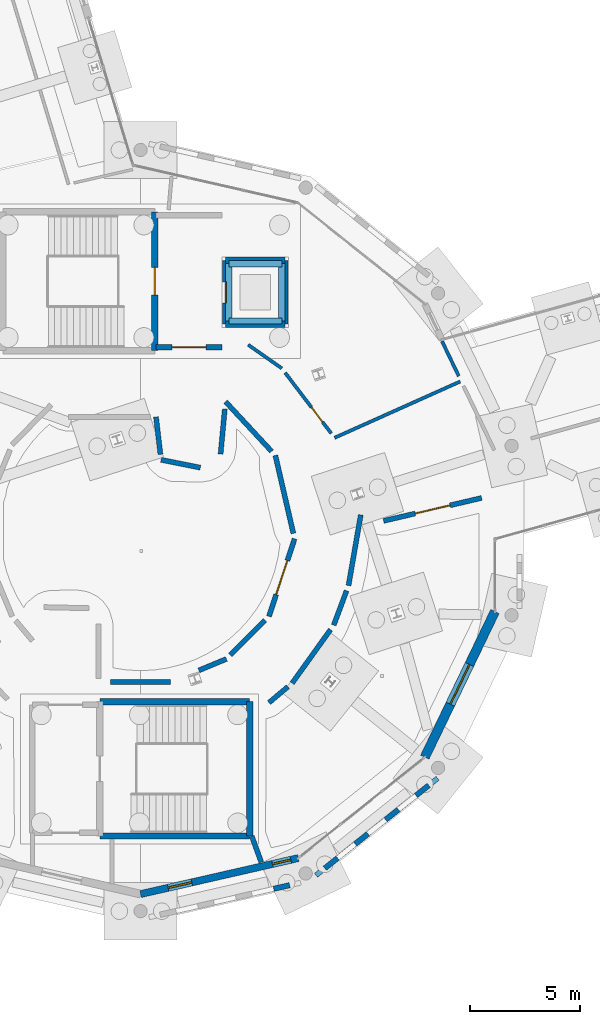
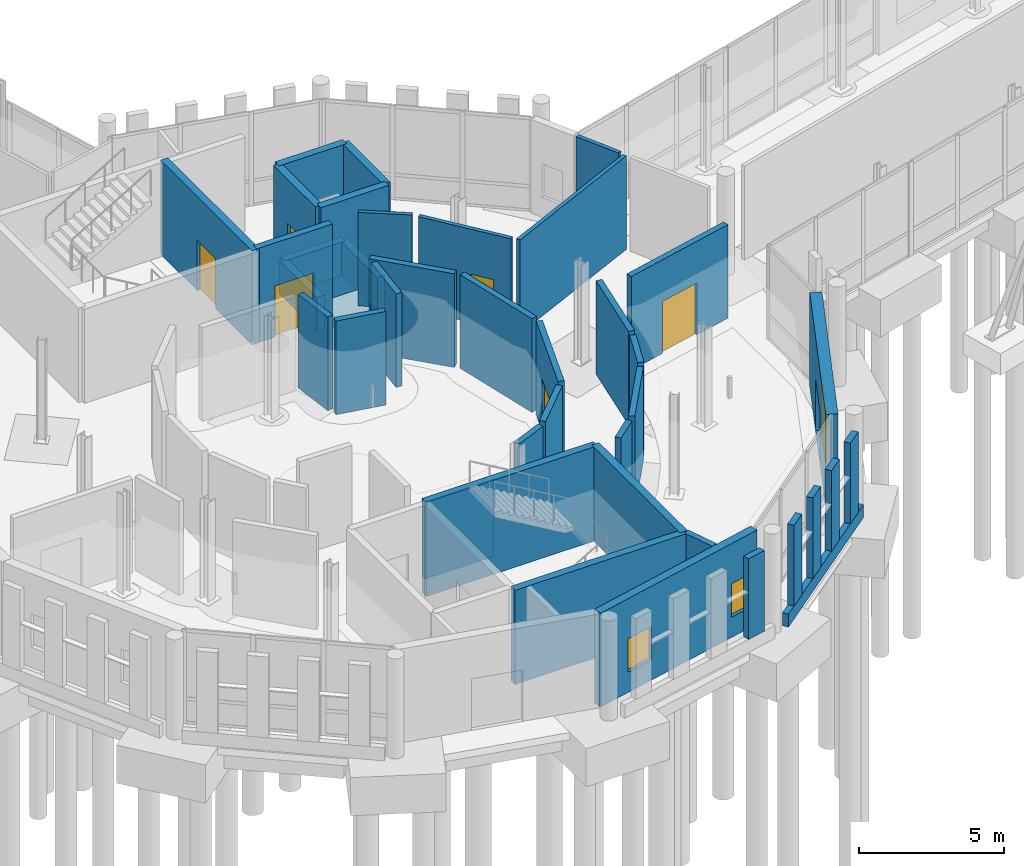
# One storey, part 79 of 113: 40 walls, 7 doors, 2 windows, 9 openings.
"""IFC4 building model written with IfcOpenShell, lengths in metres."""

from ifc_helpers import new_model, si_unit, direction, frame, frame_2d, origin, place, context, subcontext, project, spatial, rectangle, extrude, material, layer, layer_set, type_object, element, fill, save


model = new_model("IFC4")

# Units and contexts
model_context = context("Model", 3, precision=1e-05, world=origin(), true_north=direction((0.0, 1.0)))
body_context = subcontext(model_context, "Body", "Model", "MODEL_VIEW")
ifc_project = project(units=[si_unit("LENGTHUNIT", "METRE"), si_unit("AREAUNIT", "SQUARE_METRE"), si_unit("VOLUMEUNIT", "CUBIC_METRE"), si_unit("PLANEANGLEUNIT", "RADIAN"), si_unit("MASSUNIT", "GRAM", prefix="KILO")], contexts=[model_context])

# Site, building, storey
site_placement = place(None, origin())
site = spatial("IfcSite", under=ifc_project, at=site_placement, CompositionType="ELEMENT")
building_placement = place(site_placement, origin())
building = spatial("IfcBuilding", under=site, at=building_placement, Name="Wrenclough Park School", CompositionType="ELEMENT")
storey_placement = place(building_placement, origin())
storey = spatial("IfcBuildingStorey", under=building, at=storey_placement, Name="L00", CompositionType="ELEMENT", Elevation=0.0)

# Walls
ifc_material_1 = material(Name="Perforated open-bond Staffordshire and Manchester brick screen pier", Category="masonry")
ifc_layer_1 = layer(ifc_material_1, 0.2451171875)
ifc_layer_set_1 = layer_set([ifc_layer_1], Name="Perforated open-bond Staffordshire and Manchester brick screen pier")
wall_type_1 = type_object("IfcWallType", Name="ENV-BS-PR245", PredefinedType="ELEMENTEDWALL", material=ifc_layer_set_1)
for number, where, z_axis, x_axis, name in (
    (1, (42.53662109375, 7.262451171875, 0.550048828125), (0.0, 0.0, 1.0), (0.974960788757, 0.222376843189, 0.0), "D2 L00 perforated brick screen pier 0078"),
    (2, (44.85205078125, 8.1943359375, 0.550048828125), (0.0, 0.0, 1.0), (0.781833401173, 0.623487395872, 0.0), "D2 L00 perforated brick screen pier 0079"),
    (3, (46.2294921875, 9.29296875, 0.550048828125), (0.0, 0.0, 1.0), (0.781833401173, 0.623487395872, 0.0), "D2 L00 perforated brick screen pier 0080"),
    (4, (47.607177734375, 10.3916015625, 0.550048828125), (0.0, 0.0, 1.0), (0.781994216279, 0.623285685465, 0.0), "D2 L00 perforated brick screen pier 0081"),
    (5, (48.984619140625, 11.489990234375, 0.550048828125), (0.0, 0.0, 1.0), (0.781833401173, 0.623487395872, 0.0), "D2 L00 perforated brick screen pier 0082"),
):
    element("IfcWall", number, at=place(storey_placement, frame(where, z_axis=z_axis, x_axis=x_axis)), inside=storey, type_object=wall_type_1, Name=name, PredefinedType="ELEMENTEDWALL", context=body_context, shape_type="SweptSolid", body=[
        extrude(rectangle(XDim=0.739990234375, YDim=0.2451171875, at=frame_2d((0.3701171875, 0.0))), origin(), (0.0, 0.0, 1.0), 3.389892578125),
    ])
ifc_material_2 = material(Name="Open-bond Manchester multi-stock brick spandrel screen", Category="masonry")
ifc_layer_2 = layer(ifc_material_2, 0.22509765625)
ifc_layer_set_2 = layer_set([ifc_layer_2], Name="Open-bond Manchester multi-stock brick spandrel screen")
wall_type_2 = type_object("IfcWallType", Name="ENV-BS-SP225", PredefinedType="ELEMENTEDWALL", material=ifc_layer_set_2)
wall_1_placement = place(storey_placement, frame((44.452392578125, 7.875732421875, 0.0), z_axis=(0.0, 0.0, 1.0), x_axis=(0.781844515492, 0.623473458613, 0.0)))
element("IfcWall", 6, at=wall_1_placement, inside=storey, type_object=wall_type_2, Name="D2 L00 open-bond brick screen spandrel 0020", PredefinedType="ELEMENTEDWALL", context=body_context, shape_type="SweptSolid", body=[
    extrude(rectangle(XDim=7.048095703125, YDim=0.22509765625, at=frame_2d((3.52392578125, 0.0))), origin(), (0.0, 0.0, 1.0), 0.550048828125),
])

# Wall, openings, windows
ifc_material_3 = material(Name="Manchester multi-stock brick and Concrete C32/40 inner leaf", Category="masonry")
ifc_layer_3 = layer(ifc_material_3, 0.324951171875)
ifc_layer_set_3 = layer_set([ifc_layer_3], Name="Manchester multi-stock brick and Concrete C32/40 inner leaf")
wall_type_3 = type_object("IfcWallType", Name="ENV-EW-325", PredefinedType="SOLIDWALL", material=ifc_layer_set_3)
wall_2_placement = place(storey_placement, frame((43.649169921875, 8.65478515625, 0.0), z_axis=(0.0, 0.0, 1.0), x_axis=(-0.974932633187, -0.222500248868, 0.0)))
wall_2 = element("IfcWall", 7, at=wall_2_placement, inside=storey, type_object=wall_type_3, Name="L00 insulated brick external wall 0001", PredefinedType="SOLIDWALL", context=body_context, shape_type="SweptSolid", body=[
    extrude(rectangle(XDim=7.3330078125, YDim=0.324951171875, at=frame_2d((3.66650390625, 0.0))), origin(), (0.0, 0.0, 1.0), 3.93994140625),
])
opening_1_placement = place(wall_2_placement, frame((0.35009765625, 0.0, 0.85009765625)))
opening_1 = element("IfcOpeningElement", 8, at=opening_1_placement, cuts=wall_2, Name="Opening WN-01", PredefinedType="OPENING", context=body_context, shape_type="SweptSolid", body=[
    extrude(rectangle(XDim=0.85009765625, YDim=1.39990234375, at=frame_2d((0.425048828125, 0.699951171875))), frame((0.0, 0.17236328125, 0.0), z_axis=(0.0, -1.0, 0.0), x_axis=(1.0, 0.0, 0.0)), (0.0, 0.0, 1.0), 0.344970703125),
])
opening_2_placement = place(wall_2_placement, frame((4.94970703125, 0.0, 0.85009765625)))
opening_2 = element("IfcOpeningElement", 9, at=opening_2_placement, cuts=wall_2, Name="Opening WN-03", PredefinedType="OPENING", context=body_context, shape_type="SweptSolid", body=[
    extrude(rectangle(XDim=1.10009765625, YDim=1.39990234375, at=frame_2d((0.550048828125, 0.699951171875))), frame((0.0, 0.17236328125, 0.0), z_axis=(0.0, -1.0, 0.0), x_axis=(1.0, 0.0, 0.0)), (0.0, 0.0, 1.0), 0.344970703125),
])
ifc_material_4 = material(Name="Thermally broken aluminium and double-glazed low-e glass", Category="aluminium")
window_type_1 = type_object("IfcWindowType", Name="ENV-WN-01", PartitioningType="SINGLE_PANEL", PredefinedType="WINDOW", material=ifc_material_4)
window_1_placement = place(opening_1_placement, origin())
window_1 = element("IfcWindow", 10, at=window_1_placement, inside=storey, type_object=window_type_1, Name="L00 scheduled facade window 0001", OverallHeight=1.39990234375, OverallWidth=0.85009765625, PartitioningType="SINGLE_PANEL", PredefinedType="WINDOW", context=body_context, shape_type="SweptSolid", body=[
    extrude(rectangle(XDim=0.85009765625, YDim=1.39990234375, at=frame_2d((0.425048828125, 0.699951171875))), frame((0.0, 0.030029296875, 0.0), z_axis=(0.0, -1.0, 0.0), x_axis=(1.0, 0.0, 0.0)), (0.0, 0.0, 1.0), 0.06005859375),
])
fill(opening_1, window_1)
window_type_2 = type_object("IfcWindowType", Name="ENV-WN-03", PartitioningType="SINGLE_PANEL", PredefinedType="WINDOW", material=ifc_material_4)
window_2_placement = place(opening_2_placement, origin())
window_2 = element("IfcWindow", 11, at=window_2_placement, inside=storey, type_object=window_type_2, Name="L00 scheduled facade window 0002", OverallHeight=1.39990234375, OverallWidth=1.10009765625, PartitioningType="SINGLE_PANEL", PredefinedType="WINDOW", context=body_context, shape_type="SweptSolid", body=[
    extrude(rectangle(XDim=1.10009765625, YDim=1.39990234375, at=frame_2d((0.550048828125, 0.699951171875))), frame((0.0, 0.030029296875, 0.0), z_axis=(0.0, -1.0, 0.0), x_axis=(1.0, 0.0, 0.0)), (0.0, 0.0, 1.0), 0.06005859375),
])
fill(opening_2, window_2)

# Wall, opening, door
ifc_material_5 = material(Name="Insulated brick-clad sports hall wall Concrete C40/50", Category="masonry")
ifc_layer_4 = layer(ifc_material_5, 0.425048828125)
ifc_layer_set_4 = layer_set([ifc_layer_4], Name="Insulated brick-clad sports hall wall Concrete C40/50")
wall_type_4 = type_object("IfcWallType", Name="ENV-EW-425", PredefinedType="SOLIDWALL", material=ifc_layer_set_4)
wall_3_placement = place(storey_placement, frame((52.563720703125, 19.83349609375, 0.0), z_axis=(0.0, 0.0, 1.0), x_axis=(-0.433886691468, -0.900967446119, 0.0)))
wall_3 = element("IfcWall", 12, at=wall_3_placement, inside=storey, type_object=wall_type_4, Name="L00 insulated brick external wall 0045", PredefinedType="SOLIDWALL", context=body_context, shape_type="SweptSolid", body=[
    extrude(rectangle(XDim=7.332763671875, YDim=0.425048828125, at=frame_2d((3.66650390625, 0.0))), origin(), (0.0, 0.0, 1.0), 3.93994140625),
])
opening_3_placement = place(wall_3_placement, frame((2.66650390625, 0.0, 0.0)))
opening_3 = element("IfcOpeningElement", 13, at=opening_3_placement, cuts=wall_3, Name="Opening EX-01", PredefinedType="OPENING", context=body_context, shape_type="SweptSolid", body=[
    extrude(rectangle(XDim=2.0, YDim=2.199951171875, at=frame_2d((1.0, 1.10009765625))), frame((0.0, 0.222412109375, 0.0), z_axis=(0.0, -1.0, 0.0), x_axis=(1.0, 0.0, 0.0)), (0.0, 0.0, 1.0), 0.445068359375),
])
ifc_material_6 = material(Name="Thermally broken powder-coated aluminium and laminated safety glass", Category="aluminium")
door_type_1 = type_object("IfcDoorType", Name="DR-EX200", OperationType="NOTDEFINED", PredefinedType="DOOR", material=ifc_material_6)
door_1_placement = place(opening_3_placement, origin())
door_1 = element("IfcDoor", 14, at=door_1_placement, inside=storey, type_object=door_type_1, Name="Pedestrian final exit door EX-01", OperationType="DOUBLE_DOOR_SINGLE_SWING", OverallHeight=2.199951171875, OverallWidth=2.0, PredefinedType="DOOR", context=body_context, shape_type="SweptSolid", body=[
    extrude(rectangle(XDim=2.0, YDim=2.199951171875, at=frame_2d((1.0, 1.10009765625))), frame((0.0, 0.02490234375, 0.0), z_axis=(0.0, -1.0, 0.0), x_axis=(1.0, 0.0, 0.0)), (0.0, 0.0, 1.0), 0.050048828125),
])
fill(opening_3, door_1)

ifc_material_7 = material(Name="Concrete C35/45", Category="concrete")
ifc_layer_5 = layer(ifc_material_7, 0.25)
ifc_layer_set_5 = layer_set([ifc_layer_5], Name="Concrete C35/45")
wall_type_5 = type_object("IfcWallType", Name="INT-CW-250", PredefinedType="SHEAR", material=ifc_layer_set_5)
wall_4_placement = place(storey_placement, frame((37.199951171875, 31.800048828125, 0.0), z_axis=(0.0, 0.0, 1.0), x_axis=(1.0, 0.0, 0.0)))
wall_4 = element("IfcWall", 15, at=wall_4_placement, inside=storey, type_object=wall_type_5, Name="Core C2 L00 lobby fire wall south", PredefinedType="SHEAR", context=body_context, shape_type="SweptSolid", body=[
    extrude(rectangle(XDim=3.0, YDim=0.25, at=frame_2d((1.5, 0.0))), origin(), (0.0, 0.0, 1.0), 3.949951171875),
])
opening_4_placement = place(wall_4_placement, frame((0.72509765625, 0.0, 0.0)))
opening_4 = element("IfcOpeningElement", 16, at=opening_4_placement, cuts=wall_4, Name="Opening DLB-C2-L00", PredefinedType="OPENING", context=body_context, shape_type="SweptSolid", body=[
    extrude(rectangle(XDim=1.550048828125, YDim=2.14990234375, at=frame_2d((0.77490234375, 1.074951171875))), frame((0.0, 0.135009765625, 0.0), z_axis=(0.0, -1.0, 0.0), x_axis=(1.0, 0.0, 0.0)), (0.0, 0.0, 1.0), 0.27001953125),
])
ifc_material_8 = material(Name="Protected stair lobby double fire door assembly", Category="wood")
door_type_2 = type_object("IfcDoorType", Name="INT-DR-LB155", OperationType="NOTDEFINED", PredefinedType="DOOR", material=ifc_material_8)
door_2_placement = place(opening_4_placement, frame((1.550048828125, 0.0, 0.0), z_axis=(0.0, 0.0, 1.0), x_axis=(-1.0, 0.0, 0.0)))
door_2 = element("IfcDoor", 17, at=door_2_placement, inside=storey, type_object=door_type_2, Name="Core C2 L00 protected lobby fire door", OperationType="DOUBLE_DOOR_SINGLE_SWING", OverallHeight=2.14990234375, OverallWidth=1.550048828125, PredefinedType="DOOR", context=body_context, shape_type="SweptSolid", body=[
    extrude(rectangle(XDim=1.550048828125, YDim=2.14990234375, at=frame_2d((0.77490234375, 1.074951171875))), frame((0.0, 0.02490234375, 0.0), z_axis=(0.0, -1.0, 0.0), x_axis=(1.0, 0.0, 0.0)), (0.0, 0.0, 1.0), 0.050048828125),
])
fill(opening_4, door_2)

# Walls
ifc_material_9 = material(Name="Concrete C40/50", Category="concrete")
ifc_layer_6 = layer(ifc_material_9, 0.2900390625)
ifc_layer_set_6 = layer_set([ifc_layer_6], Name="Concrete C40/50")
wall_type_6 = type_object("IfcWallType", Name="INT-CW-290", PredefinedType="SHEAR", material=ifc_layer_set_6)
wall_5_placement = place(storey_placement, frame((40.5, 33.0, -1.39990234375), z_axis=(0.0, 0.0, 1.0), x_axis=(1.0, 0.0, 0.0)))
element("IfcWall", 18, at=wall_5_placement, inside=storey, type_object=wall_type_6, Name="Lift LFT-04 concrete pit wall 1", PredefinedType="SHEAR", context=body_context, shape_type="SweptSolid", body=[
    extrude(rectangle(XDim=2.39990234375, YDim=0.2900390625, at=frame_2d((1.199951171875, 0.0))), origin(), (0.0, 0.0, 1.0), 1.39990234375),
])
wall_6_placement = place(storey_placement, frame((42.89990234375, 33.0, -1.39990234375), z_axis=(0.0, 0.0, 1.0), x_axis=(0.0, 1.0, 0.0)))
element("IfcWall", 19, at=wall_6_placement, inside=storey, type_object=wall_type_6, Name="Lift LFT-04 concrete pit wall 2", PredefinedType="SHEAR", context=body_context, shape_type="SweptSolid", body=[
    extrude(rectangle(XDim=2.60009765625, YDim=0.2900390625, at=frame_2d((1.300048828125, 0.0))), origin(), (0.0, 0.0, 1.0), 1.39990234375),
])
wall_7_placement = place(storey_placement, frame((42.89990234375, 35.60009765625, -1.39990234375), z_axis=(0.0, 0.0, 1.0), x_axis=(-1.0, 0.0, 0.0)))
element("IfcWall", 20, at=wall_7_placement, inside=storey, type_object=wall_type_6, Name="Lift LFT-04 concrete pit wall 3", PredefinedType="SHEAR", context=body_context, shape_type="SweptSolid", body=[
    extrude(rectangle(XDim=2.39990234375, YDim=0.2900390625, at=frame_2d((1.199951171875, 0.0))), origin(), (0.0, 0.0, 1.0), 1.39990234375),
])
wall_8_placement = place(storey_placement, frame((40.5, 35.60009765625, -1.39990234375), z_axis=(0.0, 0.0, 1.0), x_axis=(0.0, -1.0, 0.0)))
element("IfcWall", 21, at=wall_8_placement, inside=storey, type_object=wall_type_6, Name="Lift LFT-04 concrete pit wall 4", PredefinedType="SHEAR", context=body_context, shape_type="SweptSolid", body=[
    extrude(rectangle(XDim=2.60009765625, YDim=0.2900390625, at=frame_2d((1.300048828125, 0.0))), origin(), (0.0, 0.0, 1.0), 1.39990234375),
])

# Wall, opening, door
wall_9_placement = place(storey_placement, frame((37.14501953125, 31.655029296875, 0.0), z_axis=(0.0, 0.0, 1.0), x_axis=(0.0, 1.0, 0.0)))
wall_9 = element("IfcWall", 22, at=wall_9_placement, inside=storey, type_object=wall_type_6, Name="Core C2 L00 east shear wall", PredefinedType="SHEAR", context=body_context, shape_type="SweptSolid", body=[
    extrude(rectangle(XDim=6.2900390625, YDim=0.2900390625, at=frame_2d((3.14501953125, 0.0))), origin(), (0.0, 0.0, 1.0), 3.949951171875),
])
opening_5_placement = place(wall_9_placement, frame((2.52001953125, 0.0, 0.0)))
opening_5 = element("IfcOpeningElement", 23, at=opening_5_placement, cuts=wall_9, Name="Opening DST-C2-L00", PredefinedType="OPENING", context=body_context, shape_type="SweptSolid", body=[
    extrude(rectangle(XDim=1.25, YDim=2.10009765625, at=frame_2d((0.625, 1.050048828125))), frame((0.0, 0.155029296875, 0.0), z_axis=(0.0, -1.0, 0.0), x_axis=(1.0, 0.0, 0.0)), (0.0, 0.0, 1.0), 0.31005859375),
])
ifc_material_10 = material(Name="Wide protected escape stair fire door assembly", Category="wood")
door_type_3 = type_object("IfcDoorType", Name="INT-DR-ST125", OperationType="NOTDEFINED", PredefinedType="DOOR", material=ifc_material_10)
door_3_placement = place(opening_5_placement, frame((1.25, 0.0, 0.0), z_axis=(0.0, 0.0, 1.0), x_axis=(-1.0, 0.0, 0.0)))
door_3 = element("IfcDoor", 24, at=door_3_placement, inside=storey, type_object=door_type_3, Name="Stair ST-02 L00 fire door", OperationType="SINGLE_SWING_LEFT", OverallHeight=2.10009765625, OverallWidth=1.25, PredefinedType="DOOR", context=body_context, shape_type="SweptSolid", body=[
    extrude(rectangle(XDim=1.25, YDim=2.10009765625, at=frame_2d((0.625, 1.050048828125))), frame((0.0, 0.02490234375, 0.0), z_axis=(0.0, -1.0, 0.0), x_axis=(1.0, 0.0, 0.0)), (0.0, 0.0, 1.0), 0.050048828125),
])
fill(opening_5, door_3)

# Walls
wall_10_placement = place(storey_placement, frame((40.35498046875, 32.85498046875, 0.0), z_axis=(0.0, 0.0, 1.0), x_axis=(1.0, 0.0, 0.0)))
element("IfcWall", 25, at=wall_10_placement, inside=storey, type_object=wall_type_6, Name="Lift LFT-04 L00 south shaft wall", PredefinedType="SHEAR", context=body_context, shape_type="SweptSolid", body=[
    extrude(rectangle(XDim=2.68994140625, YDim=0.2900390625, at=frame_2d((1.344970703125, 0.0))), origin(), (0.0, 0.0, 1.0), 3.949951171875),
])
wall_11_placement = place(storey_placement, frame((43.044921875, 32.85498046875, 0.0), z_axis=(0.0, 0.0, 1.0), x_axis=(0.0, 1.0, 0.0)))
element("IfcWall", 26, at=wall_11_placement, inside=storey, type_object=wall_type_6, Name="Lift LFT-04 L00 east shaft wall", PredefinedType="SHEAR", context=body_context, shape_type="SweptSolid", body=[
    extrude(rectangle(XDim=2.89013671875, YDim=0.2900390625, at=frame_2d((1.445068359375, 0.0))), origin(), (0.0, 0.0, 1.0), 3.949951171875),
])
wall_12_placement = place(storey_placement, frame((43.044921875, 35.7451171875, 0.0), z_axis=(0.0, 0.0, 1.0), x_axis=(-1.0, 0.0, 0.0)))
element("IfcWall", 27, at=wall_12_placement, inside=storey, type_object=wall_type_6, Name="Lift LFT-04 L00 north shaft wall", PredefinedType="SHEAR", context=body_context, shape_type="SweptSolid", body=[
    extrude(rectangle(XDim=2.68994140625, YDim=0.2900390625, at=frame_2d((1.344970703125, 0.0))), origin(), (0.0, 0.0, 1.0), 3.949951171875),
])

# Wall, opening, door
wall_13_placement = place(storey_placement, frame((40.35498046875, 35.7451171875, 0.0), z_axis=(0.0, 0.0, 1.0), x_axis=(0.0, -1.0, 0.0)))
wall_13 = element("IfcWall", 28, at=wall_13_placement, inside=storey, type_object=wall_type_6, Name="Lift LFT-04 L00 west shaft wall", PredefinedType="SHEAR", context=body_context, shape_type="SweptSolid", body=[
    extrude(rectangle(XDim=2.89013671875, YDim=0.2900390625, at=frame_2d((1.445068359375, 0.0))), origin(), (0.0, 0.0, 1.0), 3.949951171875),
])
opening_6_placement = place(wall_13_placement, frame((0.969970703125, 0.0, 0.0)))
opening_6 = element("IfcOpeningElement", 29, at=opening_6_placement, cuts=wall_13, Name="Opening LD-04-L00", PredefinedType="OPENING", context=body_context, shape_type="SweptSolid", body=[
    extrude(rectangle(XDim=0.949951171875, YDim=2.10009765625, at=frame_2d((0.47509765625, 1.050048828125))), frame((0.0, 0.155029296875, 0.0), z_axis=(0.0, -1.0, 0.0), x_axis=(1.0, 0.0, 0.0)), (0.0, 0.0, 1.0), 0.31005859375),
])
ifc_material_11 = material(Name="Brushed stainless steel", Category="steel")
door_type_4 = type_object("IfcDoorType", Name="INT-DR-LD095", OperationType="NOTDEFINED", PredefinedType="DOOR", material=ifc_material_11)
door_4_placement = place(opening_6_placement, frame((0.949951171875, 0.0, 0.0), z_axis=(0.0, 0.0, 1.0), x_axis=(-1.0, 0.0, 0.0)))
door_4 = element("IfcDoor", 30, at=door_4_placement, inside=storey, type_object=door_type_4, Name="Lift LFT-04 L00 sliding landing door", OperationType="SLIDING_TO_LEFT", OverallHeight=2.10009765625, OverallWidth=0.949951171875, PredefinedType="DOOR", context=body_context, shape_type="SweptSolid", body=[
    extrude(rectangle(XDim=0.949951171875, YDim=2.10009765625, at=frame_2d((0.47509765625, 1.050048828125))), frame((0.0, 0.02490234375, 0.0), z_axis=(0.0, -1.0, 0.0), x_axis=(1.0, 0.0, 0.0)), (0.0, 0.0, 1.0), 0.050048828125),
])
fill(opening_6, door_4)

# Walls
wall_14_placement = place(storey_placement, frame((34.655029296875, 9.655029296875, 0.0), z_axis=(0.0, 0.0, 1.0), x_axis=(1.0, 0.0, 0.0)))
element("IfcWall", 31, at=wall_14_placement, inside=storey, type_object=wall_type_6, Name="Core C2B L00 south shear wall", PredefinedType="SHEAR", context=body_context, shape_type="SweptSolid", body=[
    extrude(rectangle(XDim=6.7900390625, YDim=0.2900390625, at=frame_2d((3.39501953125, 0.0))), origin(), (0.0, 0.0, 1.0), 3.949951171875),
])
wall_15_placement = place(storey_placement, frame((41.445068359375, 9.655029296875, 0.0), z_axis=(0.0, 0.0, 1.0), x_axis=(0.0, 1.0, 0.0)))
element("IfcWall", 32, at=wall_15_placement, inside=storey, type_object=wall_type_6, Name="Core C2B L00 east shear wall", PredefinedType="SHEAR", context=body_context, shape_type="SweptSolid", body=[
    extrude(rectangle(XDim=6.090087890625, YDim=0.2900390625, at=frame_2d((3.044921875, 0.0))), origin(), (0.0, 0.0, 1.0), 3.949951171875),
])
wall_16_placement = place(storey_placement, frame((41.445068359375, 15.7451171875, 0.0), z_axis=(0.0, 0.0, 1.0), x_axis=(-1.0, 0.0, 0.0)))
element("IfcWall", 33, at=wall_16_placement, inside=storey, type_object=wall_type_6, Name="Core C2B L00 north shear wall", PredefinedType="SHEAR", context=body_context, shape_type="SweptSolid", body=[
    extrude(rectangle(XDim=6.7900390625, YDim=0.2900390625, at=frame_2d((3.39501953125, 0.0))), origin(), (0.0, 0.0, 1.0), 3.949951171875),
])
ifc_material_12 = material(Name="Protected corridor partition", Category="gypsum")
ifc_layer_7 = layer(ifc_material_12, 0.14990234375)
ifc_layer_set_7 = layer_set([ifc_layer_7], Name="Protected corridor partition")
wall_type_7 = type_object("IfcWallType", Name="INT-PW-150", PredefinedType="PARTITIONING", material=ifc_layer_set_7)
wall_17_placement = place(storey_placement, frame((45.293212890625, 27.70458984375, 0.0), z_axis=(0.0, 0.0, 1.0), x_axis=(0.912598949967, 0.408855911684, 0.0)))
element("IfcWall", 34, at=wall_17_placement, inside=storey, type_object=wall_type_7, Name="L00 internal partition 0072", PredefinedType="PARTITIONING", context=body_context, shape_type="SweptSolid", body=[
    extrude(rectangle(XDim=6.239501953125, YDim=0.14990234375, at=frame_2d((3.11962890625, 0.0))), origin(), (0.0, 0.0, 1.0), 3.929931640625),
])
wall_18_placement = place(storey_placement, frame((41.376953125, 31.921142578125, 0.0), z_axis=(0.0, 0.0, 1.0), x_axis=(0.818868770582, -0.573980780659, 0.0)))
element("IfcWall", 35, at=wall_18_placement, inside=storey, type_object=wall_type_7, Name="L00 internal partition 0074", PredefinedType="PARTITIONING", context=body_context, shape_type="SweptSolid", body=[
    extrude(rectangle(XDim=1.8642578125, YDim=0.14990234375, at=frame_2d((0.93212890625, 0.0))), origin(), (0.0, 0.0, 1.0), 3.929931640625),
])

# Wall, opening, door
wall_19_placement = place(storey_placement, frame((43.0546875, 30.652099609375, 0.0), z_axis=(0.0, 0.0, 1.0), x_axis=(0.60485547015, -0.796335268734, 0.0)))
wall_19 = element("IfcWall", 36, at=wall_19_placement, inside=storey, type_object=wall_type_7, Name="L00 internal partition 0075", PredefinedType="PARTITIONING", context=body_context, shape_type="SweptSolid", body=[
    extrude(rectangle(XDim=3.451416015625, YDim=0.14990234375, at=frame_2d((1.7255859375, 0.0))), origin(), (0.0, 0.0, 1.0), 3.929931640625),
])
opening_7_placement = place(wall_19_placement, frame((1.95849609375, 0.0, 0.0)))
opening_7 = element("IfcOpeningElement", 37, at=opening_7_placement, cuts=wall_19, Name="Opening DR-L00-008", PredefinedType="OPENING", context=body_context, shape_type="SweptSolid", body=[
    extrude(rectangle(XDim=0.840087890625, YDim=2.0400390625, at=frame_2d((0.419921875, 1.02001953125))), frame((0.0, 0.0849609375, 0.0), z_axis=(0.0, -1.0, 0.0), x_axis=(1.0, 0.0, 0.0)), (0.0, 0.0, 1.0), 0.169921875),
])
ifc_material_13 = material(Name="Prep and store room fire door assembly", Category="wood")
door_type_5 = type_object("IfcDoorType", Name="INT-DR-STR084", OperationType="NOTDEFINED", PredefinedType="DOOR", material=ifc_material_13)
door_5_placement = place(opening_7_placement, origin())
door_5 = element("IfcDoor", 38, at=door_5_placement, inside=storey, type_object=door_type_5, Name="Instrument and Stage Store door DR-L00-008", OperationType="SINGLE_SWING_LEFT", OverallHeight=2.0400390625, OverallWidth=0.840087890625, PredefinedType="DOOR", context=body_context, shape_type="SweptSolid", body=[
    extrude(rectangle(XDim=0.840087890625, YDim=2.0400390625, at=frame_2d((0.419921875, 1.02001953125))), frame((0.0, 0.02490234375, 0.0), z_axis=(0.0, -1.0, 0.0), x_axis=(1.0, 0.0, 0.0)), (0.0, 0.0, 1.0), 0.050048828125),
])
fill(opening_7, door_5)

# Walls
wall_20_placement = place(storey_placement, frame((50.16552734375, 32.077392578125, 0.0), z_axis=(0.0, 0.0, 1.0), x_axis=(0.43261333435, -0.901579559963, 0.0)))
element("IfcWall", 39, at=wall_20_placement, inside=storey, type_object=wall_type_7, Name="L00 internal partition 0135", PredefinedType="PARTITIONING", context=body_context, shape_type="SweptSolid", body=[
    extrude(rectangle(XDim=1.7529296875, YDim=0.14990234375, at=frame_2d((0.87646484375, 0.0))), origin(), (0.0, 0.0, 1.0), 3.929931640625),
])
ifc_material_14 = material(Name="Twin-frame acoustic gypsum board 60 dB Rw", Category="gypsum")
ifc_layer_8 = layer(ifc_material_14, 0.22509765625)
ifc_layer_set_8 = layer_set([ifc_layer_8], Name="Twin-frame acoustic gypsum board 60 dB Rw")
wall_type_8 = type_object("IfcWallType", Name="INT-PW-225", PredefinedType="PARTITIONING", material=ifc_layer_set_8)
wall_21_placement = place(storey_placement, frame((41.539306640625, 9.655029296875, 0.0), z_axis=(0.0, 0.0, 1.0), x_axis=(0.341835891219, -0.939759662613, 0.0)))
element("IfcWall", 40, at=wall_21_placement, inside=storey, type_object=wall_type_8, Name="L00 internal partition 0066", PredefinedType="PARTITIONING", context=body_context, shape_type="SweptSolid", body=[
    extrude(rectangle(XDim=1.26708984375, YDim=0.22509765625, at=frame_2d((0.633544921875, 0.0))), origin(), (0.0, 0.0, 1.0), 3.929931640625),
])

# Wall, opening, door
wall_22_placement = place(storey_placement, frame((51.95703125, 24.97802734375, 0.0), z_axis=(0.0, 0.0, 1.0), x_axis=(-0.973682617982, -0.227908225917, 0.0)))
wall_22 = element("IfcWall", 41, at=wall_22_placement, inside=storey, type_object=wall_type_8, Name="L00 internal partition 0067", PredefinedType="PARTITIONING", context=body_context, shape_type="SweptSolid", body=[
    extrude(rectangle(XDim=4.560302734375, YDim=0.22509765625, at=frame_2d((2.2802734375, 0.0))), origin(), (0.0, 0.0, 1.0), 3.929931640625),
])
opening_8_placement = place(wall_22_placement, frame((1.47021484375, 0.0, 0.0)))
opening_8 = element("IfcOpeningElement", 42, at=opening_8_placement, cuts=wall_22, Name="Opening DR-L00-007", PredefinedType="OPENING", context=body_context, shape_type="SweptSolid", body=[
    extrude(rectangle(XDim=1.6201171875, YDim=2.179931640625, at=frame_2d((0.81005859375, 1.08984375))), frame((0.0, 0.12255859375, 0.0), z_axis=(0.0, -1.0, 0.0), x_axis=(1.0, 0.0, 0.0)), (0.0, 0.0, 1.0), 0.2451171875),
])
ifc_material_15 = material(Name="Acoustic music and drama studio double door assembly", Category="wood")
door_type_6 = type_object("IfcDoorType", Name="INT-DR-STU162", OperationType="NOTDEFINED", PredefinedType="DOOR", material=ifc_material_15)
door_6_placement = place(opening_8_placement, origin())
door_6 = element("IfcDoor", 43, at=door_6_placement, inside=storey, type_object=door_type_6, Name="Music Ensemble Studio 1 door DR-L00-007", OperationType="DOUBLE_DOOR_SINGLE_SWING", OverallHeight=2.179931640625, OverallWidth=1.6201171875, PredefinedType="DOOR", context=body_context, shape_type="SweptSolid", body=[
    extrude(rectangle(XDim=1.6201171875, YDim=2.179931640625, at=frame_2d((0.81005859375, 1.08984375))), frame((0.0, 0.02490234375, 0.0), z_axis=(0.0, -1.0, 0.0), x_axis=(1.0, 0.0, 0.0)), (0.0, 0.0, 1.0), 0.050048828125),
])
fill(opening_8, door_6)

# Walls
wall_23_placement = place(storey_placement, frame((46.48095703125, 24.21142578125, 0.0), z_axis=(0.0, 0.0, 1.0), x_axis=(-0.170910169651, -0.985286615108, 0.0)))
element("IfcWall", 44, at=wall_23_placement, inside=storey, type_object=wall_type_8, Name="L00 internal partition 0068", PredefinedType="PARTITIONING", context=body_context, shape_type="SweptSolid", body=[
    extrude(rectangle(XDim=3.251220703125, YDim=0.22509765625, at=frame_2d((1.62548828125, 0.0))), origin(), (0.0, 0.0, 1.0), 3.929931640625),
])
wall_24_placement = place(storey_placement, frame((45.837890625, 20.77392578125, 0.0), z_axis=(0.0, 0.0, 1.0), x_axis=(-0.349308318761, -0.937007843321, 0.0)))
element("IfcWall", 45, at=wall_24_placement, inside=storey, type_object=wall_type_8, Name="L00 internal partition 0069", PredefinedType="PARTITIONING", context=body_context, shape_type="SweptSolid", body=[
    extrude(rectangle(XDim=1.666259765625, YDim=0.22509765625, at=frame_2d((0.8330078125, 0.0))), origin(), (0.0, 0.0, 1.0), 3.929931640625),
])
wall_25_placement = place(storey_placement, frame((45.1103515625, 19.009765625, 0.0), z_axis=(0.0, 0.0, 1.0), x_axis=(-0.582722420538, -0.812671262321, 0.0)))
element("IfcWall", 46, at=wall_25_placement, inside=storey, type_object=wall_type_8, Name="L00 internal partition 0070", PredefinedType="PARTITIONING", context=body_context, shape_type="SweptSolid", body=[
    extrude(rectangle(XDim=2.985595703125, YDim=0.22509765625, at=frame_2d((1.49267578125, 0.0))), origin(), (0.0, 0.0, 1.0), 3.929931640625),
])
wall_26_placement = place(storey_placement, frame((43.1796875, 16.422607421875, 0.0), z_axis=(0.0, 0.0, 1.0), x_axis=(-0.765012952237, -0.644014893391, 0.0)))
element("IfcWall", 47, at=wall_26_placement, inside=storey, type_object=wall_type_8, Name="L00 internal partition 0071", PredefinedType="PARTITIONING", context=body_context, shape_type="SweptSolid", body=[
    extrude(rectangle(XDim=1.119873046875, YDim=0.22509765625, at=frame_2d((0.56005859375, 0.0))), origin(), (0.0, 0.0, 1.0), 3.929931640625),
])

# Wall, opening, door
wall_27_placement = place(storey_placement, frame((42.3203125, 19.611083984375, 0.0), z_axis=(0.0, 0.0, 1.0), x_axis=(0.313635484033, 0.949543460383, 0.0)))
wall_27 = element("IfcWall", 48, at=wall_27_placement, inside=storey, type_object=wall_type_8, Name="L00 internal partition 0076", PredefinedType="PARTITIONING", context=body_context, shape_type="SweptSolid", body=[
    extrude(rectangle(XDim=3.702880859375, YDim=0.22509765625, at=frame_2d((1.8515625, 0.0))), origin(), (0.0, 0.0, 1.0), 3.929931640625),
])
opening_9_placement = place(wall_27_placement, frame((1.04150390625, 0.0, 0.0)))
opening_9 = element("IfcOpeningElement", 49, at=opening_9_placement, cuts=wall_27, Name="Opening DR-L00-009", PredefinedType="OPENING", context=body_context, shape_type="SweptSolid", body=[
    extrude(rectangle(XDim=1.6201171875, YDim=2.179931640625, at=frame_2d((0.81005859375, 1.08984375))), frame((0.0, 0.12255859375, 0.0), z_axis=(0.0, -1.0, 0.0), x_axis=(1.0, 0.0, 0.0)), (0.0, 0.0, 1.0), 0.2451171875),
])
door_7_placement = place(opening_9_placement, origin())
door_7 = element("IfcDoor", 50, at=door_7_placement, inside=storey, type_object=door_type_6, Name="Recital Rehearsal Studio door DR-L00-009", OperationType="DOUBLE_DOOR_SINGLE_SWING", OverallHeight=2.179931640625, OverallWidth=1.6201171875, PredefinedType="DOOR", context=body_context, shape_type="SweptSolid", body=[
    extrude(rectangle(XDim=1.6201171875, YDim=2.179931640625, at=frame_2d((0.81005859375, 1.08984375))), frame((0.0, 0.02490234375, 0.0), z_axis=(0.0, -1.0, 0.0), x_axis=(1.0, 0.0, 0.0)), (0.0, 0.0, 1.0), 0.050048828125),
])
fill(opening_9, door_7)

# Walls
wall_28_placement = place(storey_placement, frame((43.425537109375, 23.370361328125, 0.0), z_axis=(0.0, 0.0, 1.0), x_axis=(-0.224928280914, 0.974375322165, 0.0)))
element("IfcWall", 51, at=wall_28_placement, inside=storey, type_object=wall_type_8, Name="L00 internal partition 0077", PredefinedType="PARTITIONING", context=body_context, shape_type="SweptSolid", body=[
    extrude(rectangle(XDim=3.629638671875, YDim=0.22509765625, at=frame_2d((1.81494140625, 0.0))), origin(), (0.0, 0.0, 1.0), 3.929931640625),
])
wall_29_placement = place(storey_placement, frame((42.439453125, 27.090087890625, 0.0), z_axis=(0.0, 0.0, 1.0), x_axis=(-0.679868886852, 0.733333687138, 0.0)))
element("IfcWall", 52, at=wall_29_placement, inside=storey, type_object=wall_type_8, Name="L00 internal partition 0078", PredefinedType="PARTITIONING", context=body_context, shape_type="SweptSolid", body=[
    extrude(rectangle(XDim=3.0732421875, YDim=0.22509765625, at=frame_2d((1.53662109375, 0.0))), origin(), (0.0, 0.0, 1.0), 3.929931640625),
])
wall_30_placement = place(storey_placement, frame((40.318603515625, 29.009765625, 0.0), z_axis=(0.0, 0.0, 1.0), x_axis=(-0.093337020721, -0.9956345718, 0.0)))
element("IfcWall", 53, at=wall_30_placement, inside=storey, type_object=wall_type_8, Name="L00 internal partition 0079", PredefinedType="PARTITIONING", context=body_context, shape_type="SweptSolid", body=[
    extrude(rectangle(XDim=2.05078125, YDim=0.22509765625, at=frame_2d((1.025390625, 0.0))), origin(), (0.0, 0.0, 1.0), 3.929931640625),
])
wall_31_placement = place(storey_placement, frame((39.2099609375, 26.35009765625, 0.0), z_axis=(0.0, 0.0, 1.0), x_axis=(-0.98057033174, 0.196167847801, 0.0)))
element("IfcWall", 54, at=wall_31_placement, inside=storey, type_object=wall_type_8, Name="L00 internal partition 0080", PredefinedType="PARTITIONING", context=body_context, shape_type="SweptSolid", body=[
    extrude(rectangle(XDim=1.81591796875, YDim=0.22509765625, at=frame_2d((0.907958984375, 0.0))), origin(), (0.0, 0.0, 1.0), 3.929931640625),
])
wall_32_placement = place(storey_placement, frame((37.400146484375, 26.95458984375, 0.0), z_axis=(0.0, 0.0, 1.0), x_axis=(-0.117272723628, 0.993099747404, 0.0)))
element("IfcWall", 55, at=wall_32_placement, inside=storey, type_object=wall_type_8, Name="L00 internal partition 0081", PredefinedType="PARTITIONING", context=body_context, shape_type="SweptSolid", body=[
    extrude(rectangle(XDim=1.70703125, YDim=0.22509765625, at=frame_2d((0.853515625, 0.0))), origin(), (0.0, 0.0, 1.0), 3.929931640625),
])
wall_33_placement = place(storey_placement, frame((35.134521484375, 16.634521484375, 0.0), z_axis=(0.0, 0.0, 1.0), x_axis=(1.0, 0.0, 0.0)))
element("IfcWall", 56, at=wall_33_placement, inside=storey, type_object=wall_type_8, Name="L00 internal partition 0090", PredefinedType="PARTITIONING", context=body_context, shape_type="SweptSolid", body=[
    extrude(rectangle(XDim=2.73095703125, YDim=0.22509765625, at=frame_2d((1.365478515625, 0.0))), origin(), (0.0, 0.0, 1.0), 3.24853515625),
])
wall_34_placement = place(storey_placement, frame((39.141357421875, 17.162841796875, 0.0), z_axis=(0.0, 0.0, 1.0), x_axis=(0.923855963606, 0.38274032778, 0.0)))
element("IfcWall", 57, at=wall_34_placement, inside=storey, type_object=wall_type_8, Name="L00 internal partition 0091", PredefinedType="PARTITIONING", context=body_context, shape_type="SweptSolid", body=[
    extrude(rectangle(XDim=1.350341796875, YDim=0.22509765625, at=frame_2d((0.67529296875, 0.0))), origin(), (0.0, 0.0, 1.0), 3.929931640625),
])
wall_35_placement = place(storey_placement, frame((40.56591796875, 17.8564453125, 0.0), z_axis=(0.0, 0.0, 1.0), x_axis=(0.707106781187, 0.707106781187, 0.0)))
element("IfcWall", 58, at=wall_35_placement, inside=storey, type_object=wall_type_8, Name="L00 internal partition 0092", PredefinedType="PARTITIONING", context=body_context, shape_type="SweptSolid", body=[
    extrude(rectangle(XDim=2.2314453125, YDim=0.22509765625, at=frame_2d((1.11572265625, 0.0))), origin(), (0.0, 0.0, 1.0), 3.929931640625),
])

save(model, "model.ifc")
